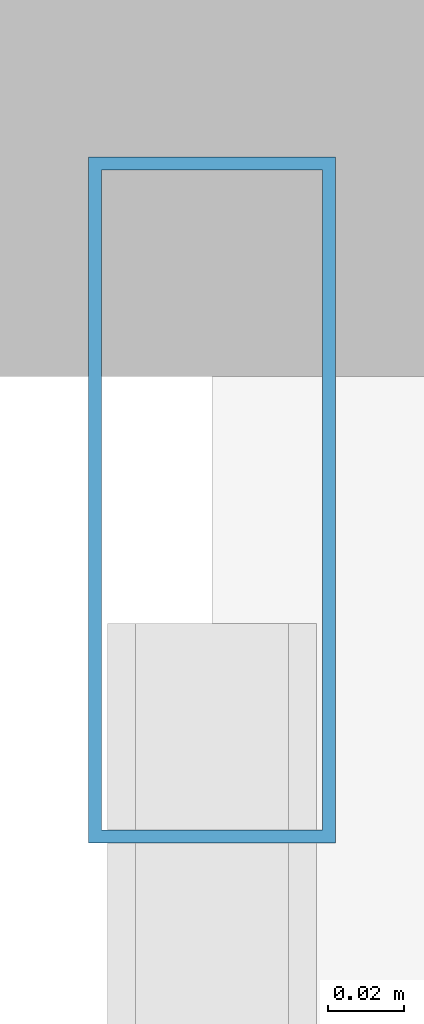
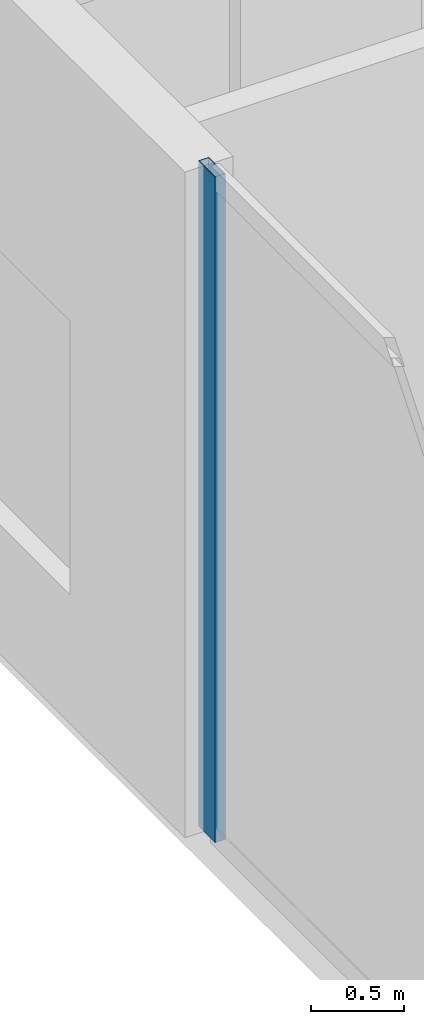
# One storey, part 16 of 33: 1 member, 1 element without a shape of its own.
"""IFC4 building model written with IfcOpenShell, lengths in metres."""

from ifc_helpers import new_model, si_unit, direction, frame, origin, origin_2d, place, context, subcontext, project, spatial, hollow_rectangle, extrude, material, layer, layer_set, material_profile, profile_set, type_object, element, aggregate, save


model = new_model("IFC4")

# Units and contexts
model_context = context("Model", 3, precision=1e-05, world=origin(), true_north=direction((0.0, 1.0)))
body_context = subcontext(model_context, "Body", "Model", "MODEL_VIEW")
ifc_project = project(units=[si_unit("LENGTHUNIT", "METRE"), si_unit("AREAUNIT", "SQUARE_METRE"), si_unit("VOLUMEUNIT", "CUBIC_METRE"), si_unit("PLANEANGLEUNIT", "RADIAN"), si_unit("MASSUNIT", "GRAM", prefix="KILO")], contexts=[model_context])

# Site, building, storey
site_placement = place(None, origin())
site = spatial("IfcSite", under=ifc_project, at=site_placement, CompositionType="ELEMENT")
building_placement = place(site_placement, origin())
building = spatial("IfcBuilding", under=site, at=building_placement, Name="Zuhayl Quay Hotel", CompositionType="ELEMENT")
storey_placement = place(building_placement, frame((0.0, 0.0, 168.199951171875)))
storey = spatial("IfcBuildingStorey", under=building, at=storey_placement, Name="L42", CompositionType="ELEMENT", Elevation=168.199951171875)

# Curtain wall, member
ifc_material_1 = material(Name="Anodised Aluminium 6063-T6", Category="aluminium")
ifc_layer = layer(ifc_material_1, 0.175048828125, Name="Anodised Aluminium 6063-T6", Category="aluminium")
ifc_layer_set = layer_set([ifc_layer], Name="Anodised Aluminium 6063-T6")
curtain_wall_type = type_object("IfcCurtainWallType", Name="CW_SYS_Z3", PredefinedType="USERDEFINED", material=ifc_layer_set)
curtain_wall_placement = place(storey_placement, origin())
curtain_wall = element("IfcCurtainWall", 1, at=curtain_wall_placement, inside=storey, type_object=curtain_wall_type, Name="L42 Curtain Wall ENV_L42_E05_CW1", ObjectType="UNITISED CURTAIN WALL", PredefinedType="USERDEFINED")
ifc_material_2 = material(Name="Black-anodised aluminium 6063-T6", Category="aluminium")
ifc_material_profile = material_profile(ifc_material_2, hollow_rectangle(XDim=0.06494140625, YDim=0.179931640625, WallThickness=0.00341796875, at=origin_2d()), Name="ALU180X65")
ifc_profile_set = profile_set([ifc_material_profile], Name="Black-anodised aluminium 6063-T6")
member_type = type_object("IfcMemberType", Name="MB_CW_MUL_180", PredefinedType="MULLION", material=ifc_profile_set)
member_placement = place(storey_placement, frame((-22.10009765625, 26.41748046875, 0.0), z_axis=(0.0, 0.0, 1.0), x_axis=(-1.0, 0.0, 0.0)))
member = element("IfcMember", 2, at=member_placement, type_object=member_type, Name="CW-Z3 mullion 2", PredefinedType="MULLION", context=body_context, shape_type="SweptSolid", body=[
    extrude(hollow_rectangle(XDim=0.06494140625, YDim=0.179931640625, WallThickness=0.00341796875, at=origin_2d()), origin(), (0.0, 0.0, 1.0), 4.380126953125),
])
aggregate(curtain_wall, [member])

save(model, "model.ifc")
